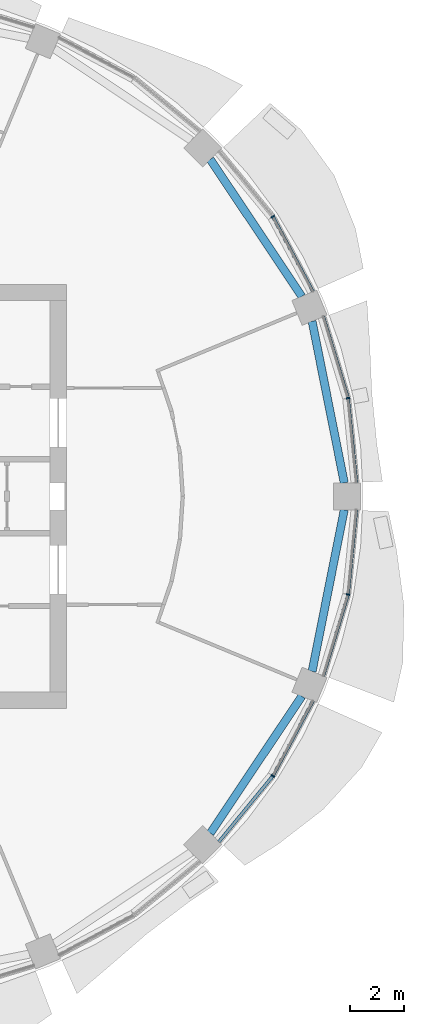
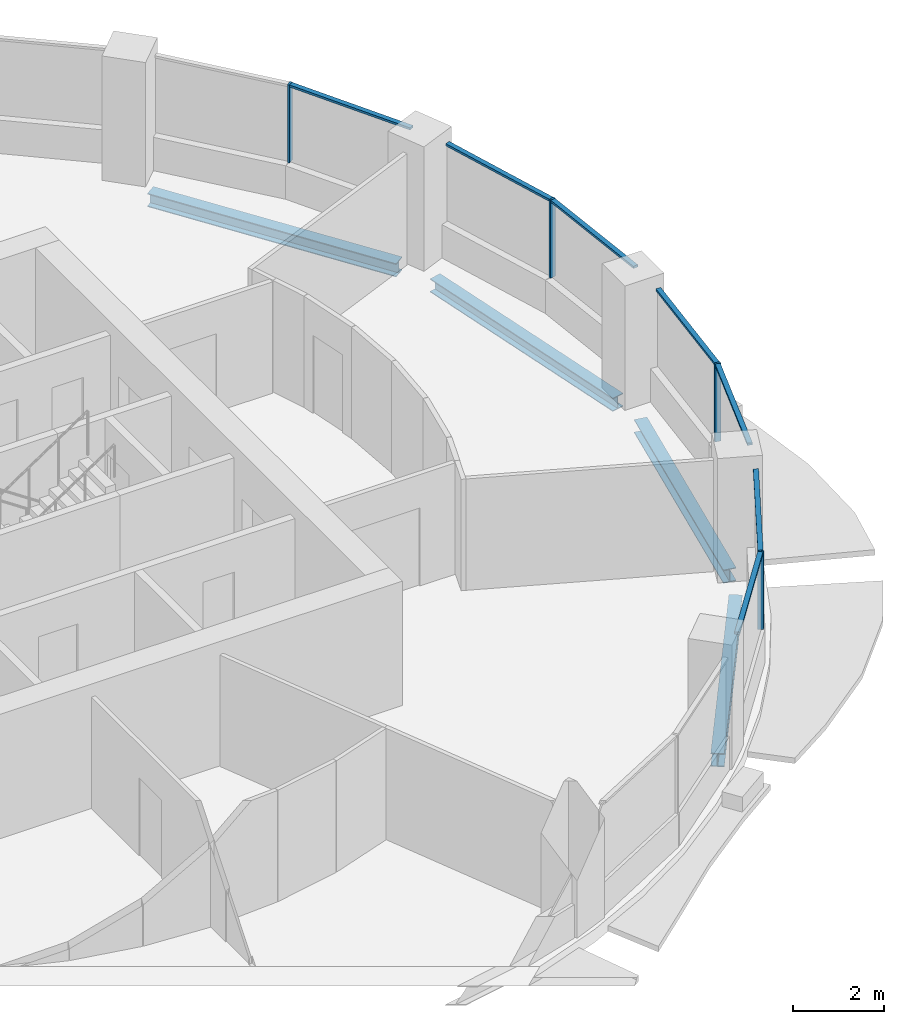
# One storey, part 5 of 14: 11 members, 4 beams, 4 elements without a shape of their own.
"""IFC4 building model written with IfcOpenShell, lengths in metres."""

from ifc_helpers import new_model, si_unit, direction, frame, origin, origin_2d, place, context, subcontext, project, spatial, rectangle, i_section, extrude, material, material_profile, profile_set, type_object, element, aggregate, save


model = new_model("IFC4")

# Units and contexts
model_context = context("Model", 3, precision=1e-05, world=origin(), true_north=direction((0.0, 1.0)))
body_context = subcontext(model_context, "Body", "Model", "MODEL_VIEW")
ifc_project = project(units=[si_unit("LENGTHUNIT", "METRE"), si_unit("AREAUNIT", "SQUARE_METRE"), si_unit("VOLUMEUNIT", "CUBIC_METRE"), si_unit("PLANEANGLEUNIT", "RADIAN"), si_unit("MASSUNIT", "GRAM", prefix="KILO")], contexts=[model_context])

# Site, building, storey
site_placement = place(None, origin())
site = spatial("IfcSite", under=ifc_project, at=site_placement, CompositionType="ELEMENT")
building_placement = place(site_placement, origin())
building = spatial("IfcBuilding", under=site, at=building_placement, Name="Polderwave Tower", CompositionType="ELEMENT")
storey_placement = place(building_placement, frame((0.0, 0.0, 144.39990234375)))
storey = spatial("IfcBuildingStorey", under=building, at=storey_placement, Name="L38", CompositionType="ELEMENT", Elevation=144.39990234375)

# Curtain wall, member
ifc_material_1 = material(Name="Aluminium 6063-T6 and glass", Category="aluminium")
curtain_wall_type = type_object("IfcCurtainWallType", Name="Office ribbon glazing wall", PredefinedType="NOTDEFINED", material=ifc_material_1)
curtain_wall_1_placement = place(storey_placement, origin())
curtain_wall_1 = element("IfcCurtainWall", 1, at=curtain_wall_1_placement, inside=storey, type_object=curtain_wall_type, Name="CW3 L38 00", PredefinedType="NOTDEFINED")
ifc_material_2 = material(Name="Aluminium 6063-T6", Category="aluminium")
ifc_material_profile_1 = material_profile(ifc_material_2, rectangle(XDim=0.139892578125, YDim=0.054931640625, at=origin_2d()), Name="AL 55x140")
ifc_profile_set_1 = profile_set([ifc_material_profile_1], Name="Aluminium 6063-T6")
member_type_1 = type_object("IfcMemberType", Name="Office ribbon glazing mullion 55x140", PredefinedType="MULLION", material=ifc_profile_set_1)
member_1_placement = place(storey_placement, frame((18.341064453125, 3.64794921875, 0.900146484375), z_axis=(0.0, 0.0, 1.0), x_axis=(-0.980764163857, -0.195196452055, 0.0)))
member_1 = element("IfcMember", 2, at=member_1_placement, type_object=member_type_1, Name="CW3 mullion 1", PredefinedType="MULLION", context=body_context, shape_type="SweptSolid", body=[
    extrude(rectangle(XDim=0.139892578125, YDim=0.054931640625, at=origin_2d()), origin(), (0.0, 0.0, 1.0), 2.099853515625),
])

curtain_wall_2_placement = place(storey_placement, origin())
curtain_wall_2 = element("IfcCurtainWall", 3, at=curtain_wall_2_placement, inside=storey, type_object=curtain_wall_type, Name="CW3 L38 01", PredefinedType="NOTDEFINED")
member_2_placement = place(storey_placement, frame((15.548095703125, 10.388916015625, 0.900146484375), z_axis=(0.0, 0.0, 1.0), x_axis=(-0.831508396395, -0.555512184136, 0.0)))
member_2 = element("IfcMember", 4, at=member_2_placement, type_object=member_type_1, Name="CW3 mullion 1", PredefinedType="MULLION", context=body_context, shape_type="SweptSolid", body=[
    extrude(rectangle(XDim=0.139892578125, YDim=0.054931640625, at=origin_2d()), origin(), (0.0, 0.0, 1.0), 2.099853515625),
])

curtain_wall_3_placement = place(storey_placement, origin())
curtain_wall_3 = element("IfcCurtainWall", 5, at=curtain_wall_3_placement, inside=storey, type_object=curtain_wall_type, Name="CW3 L38 14", PredefinedType="NOTDEFINED")
member_3_placement = place(storey_placement, frame((15.548095703125, -10.388916015625, 0.900146484375), z_axis=(0.0, 0.0, 1.0), x_axis=(-0.831508396395, 0.555512184136, 0.0)))
member_3 = element("IfcMember", 6, at=member_3_placement, type_object=member_type_1, Name="CW3 mullion 1", PredefinedType="MULLION", context=body_context, shape_type="SweptSolid", body=[
    extrude(rectangle(XDim=0.139892578125, YDim=0.054931640625, at=origin_2d()), origin(), (0.0, 0.0, 1.0), 2.099853515625),
])

curtain_wall_4_placement = place(storey_placement, origin())
curtain_wall_4 = element("IfcCurtainWall", 7, at=curtain_wall_4_placement, inside=storey, type_object=curtain_wall_type, Name="CW3 L38 15", PredefinedType="NOTDEFINED")
member_4_placement = place(storey_placement, frame((18.341064453125, -3.64794921875, 0.900146484375), z_axis=(0.0, 0.0, 1.0), x_axis=(-0.980764163857, 0.195196452055, 0.0)))
member_4 = element("IfcMember", 8, at=member_4_placement, type_object=member_type_1, Name="CW3 mullion 1", PredefinedType="MULLION", context=body_context, shape_type="SweptSolid", body=[
    extrude(rectangle(XDim=0.139892578125, YDim=0.054931640625, at=origin_2d()), origin(), (0.0, 0.0, 1.0), 2.099853515625),
])

# Member
ifc_material_profile_2 = material_profile(ifc_material_2, rectangle(XDim=0.1201171875, YDim=0.06005859375, at=origin_2d()), Name="AL 60x120")
ifc_profile_set_2 = profile_set([ifc_material_profile_2], Name="Aluminium 6063-T6")
member_type_2 = type_object("IfcMemberType", Name="Office ribbon glazing transom 60x120", PredefinedType="USERDEFINED", material=ifc_profile_set_2)
member_5_placement = place(storey_placement, frame((18.65087890625, 0.5, 2.97021484375), z_axis=(-0.097946420382, 0.995191689442, 0.0), x_axis=(-0.995191689442, -0.097946420382, 0.0)))
member_5 = element("IfcMember", 9, at=member_5_placement, type_object=member_type_2, Name="CW3 transom 1", ObjectType="TRANSOM", PredefinedType="USERDEFINED", context=body_context, shape_type="SweptSolid", body=[
    extrude(rectangle(XDim=0.1201171875, YDim=0.06005859375, at=origin_2d()), origin(), (0.0, 0.0, 1.0), 3.1357421875),
])

member_6_placement = place(storey_placement, frame((18.3330078125, 3.67431640625, 2.97021484375), z_axis=(-0.290467601512, 0.956884827172, 0.0), x_axis=(-0.956884827172, -0.290467601512, 0.0)))
member_6 = element("IfcMember", 10, at=member_6_placement, type_object=member_type_2, Name="CW3 transom 2", ObjectType="TRANSOM", PredefinedType="USERDEFINED", context=body_context, shape_type="SweptSolid", body=[
    extrude(rectangle(XDim=0.1201171875, YDim=0.06005859375, at=origin_2d()), origin(), (0.0, 0.0, 1.0), 3.135986328125),
])

aggregate(curtain_wall_1, [member_1, member_5, member_6])

member_7_placement = place(storey_placement, frame((17.0400390625, 7.59912109375, 2.97021484375), z_axis=(-0.471581867996, 0.881822284691, 0.0), x_axis=(-0.881822284691, -0.471581867996, 0.0)))
member_7 = element("IfcMember", 11, at=member_7_placement, type_object=member_type_2, Name="CW3 transom 1", ObjectType="TRANSOM", PredefinedType="USERDEFINED", context=body_context, shape_type="SweptSolid", body=[
    extrude(rectangle(XDim=0.1201171875, YDim=0.06005859375, at=origin_2d()), origin(), (0.0, 0.0, 1.0), 3.13623046875),
])

aggregate(curtain_wall_2, [member_2, member_7])

member_8_placement = place(storey_placement, frame((13.5419921875, -12.8349609375, 2.97021484375), z_axis=(0.634153141657, 0.773207470816, 0.0), x_axis=(-0.773207470816, 0.634153141657, 0.0)))
member_8 = element("IfcMember", 12, at=member_8_placement, type_object=member_type_2, Name="CW3 transom 1", ObjectType="TRANSOM", PredefinedType="USERDEFINED", context=body_context, shape_type="SweptSolid", body=[
    extrude(rectangle(XDim=0.1201171875, YDim=0.06005859375, at=origin_2d()), origin(), (0.0, 0.0, 1.0), 3.1357421875),
])

member_9_placement = place(storey_placement, frame((15.56103515625, -10.36474609375, 2.97021484375), z_axis=(0.471581867996, 0.881822284691, 0.0), x_axis=(-0.881822284691, 0.471581867996, 0.0)))
member_9 = element("IfcMember", 13, at=member_9_placement, type_object=member_type_2, Name="CW3 transom 2", ObjectType="TRANSOM", PredefinedType="USERDEFINED", context=body_context, shape_type="SweptSolid", body=[
    extrude(rectangle(XDim=0.1201171875, YDim=0.06005859375, at=origin_2d()), origin(), (0.0, 0.0, 1.0), 3.13623046875),
])

aggregate(curtain_wall_3, [member_3, member_8, member_9])

member_10_placement = place(storey_placement, frame((17.422119140625, -6.675048828125, 2.97021484375), z_axis=(0.290467601512, 0.956884827172, 0.0), x_axis=(-0.956884827172, 0.290467601512, 0.0)))
member_10 = element("IfcMember", 14, at=member_10_placement, type_object=member_type_2, Name="CW3 transom 1", ObjectType="TRANSOM", PredefinedType="USERDEFINED", context=body_context, shape_type="SweptSolid", body=[
    extrude(rectangle(XDim=0.1201171875, YDim=0.06005859375, at=origin_2d()), origin(), (0.0, 0.0, 1.0), 3.135986328125),
])

member_11_placement = place(storey_placement, frame((18.34375, -3.62060546875, 2.97021484375), z_axis=(0.097946420382, 0.995191689442, 0.0), x_axis=(-0.995191689442, 0.097946420382, 0.0)))
member_11 = element("IfcMember", 15, at=member_11_placement, type_object=member_type_2, Name="CW3 transom 2", ObjectType="TRANSOM", PredefinedType="USERDEFINED", context=body_context, shape_type="SweptSolid", body=[
    extrude(rectangle(XDim=0.1201171875, YDim=0.06005859375, at=origin_2d()), origin(), (0.0, 0.0, 1.0), 3.1357421875),
])

aggregate(curtain_wall_4, [member_4, member_10, member_11])

# Beams
ifc_material_3 = material(Name="Steel S355", Category="steel")
ifc_material_profile_3 = material_profile(ifc_material_3, i_section(OverallWidth=0.300048828125, OverallDepth=0.360107421875, WebThickness=0.012451171875, FlangeThickness=0.0224609375, at=origin_2d()), Name="HE 360 B")
ifc_profile_set_3 = profile_set([ifc_material_profile_3], Name="Steel S355")
beam_type = type_object("IfcBeamType", Name="RING BEAM HE 360 B", PredefinedType="BEAM", material=ifc_profile_set_3)
beam_1_placement = place(storey_placement, frame((18.200439453125, 0.5, -0.52978515625), z_axis=(-0.195088165617, 0.980785709335, 0.0), x_axis=(-0.980785709335, -0.195088165617, 0.0)))
element("IfcBeam", 16, at=beam_1_placement, inside=storey, type_object=beam_type, Name="ST-RB-L38-00", PredefinedType="BEAM", context=body_context, shape_type="SweptSolid", body=[
    extrude(i_section(OverallWidth=0.300048828125, OverallDepth=0.360107421875, WebThickness=0.012451171875, FlangeThickness=0.0224609375, at=origin_2d()), origin(), (0.0, 0.0, 1.0), 6.120849609375),
])
for number, where, z_axis, x_axis, name in (
    (17, (16.623779296875, 7.427001953125, -0.52978515625), (-0.555565167003, 0.831472997284, 0.0), (-0.831472997284, -0.555565167003, 0.0), "ST-RB-L38-01"),
    (18, (13.223388671875, -12.51611328125, -0.52978515625), (0.555565167003, 0.831472997284, 0.0), (-0.831472997284, 0.555565167003, 0.0), "ST-RB-L38-14"),
):
    element("IfcBeam", number, at=place(storey_placement, frame(where, z_axis=z_axis, x_axis=x_axis)), inside=storey, type_object=beam_type, Name=name, PredefinedType="BEAM", context=body_context, shape_type="SweptSolid", body=[
        extrude(i_section(OverallWidth=0.300048828125, OverallDepth=0.360107421875, WebThickness=0.012451171875, FlangeThickness=0.0224609375, at=origin_2d()), origin(), (0.0, 0.0, 1.0), 6.12060546875),
    ])
beam_2_placement = place(storey_placement, frame((17.00634765625, -6.503173828125, -0.52978515625), z_axis=(0.195088165617, 0.980785709335, 0.0), x_axis=(-0.980785709335, 0.195088165617, 0.0)))
element("IfcBeam", 19, at=beam_2_placement, inside=storey, type_object=beam_type, Name="ST-RB-L38-15", PredefinedType="BEAM", context=body_context, shape_type="SweptSolid", body=[
    extrude(i_section(OverallWidth=0.300048828125, OverallDepth=0.360107421875, WebThickness=0.012451171875, FlangeThickness=0.0224609375, at=origin_2d()), origin(), (0.0, 0.0, 1.0), 6.120849609375),
])

save(model, "model.ifc")
